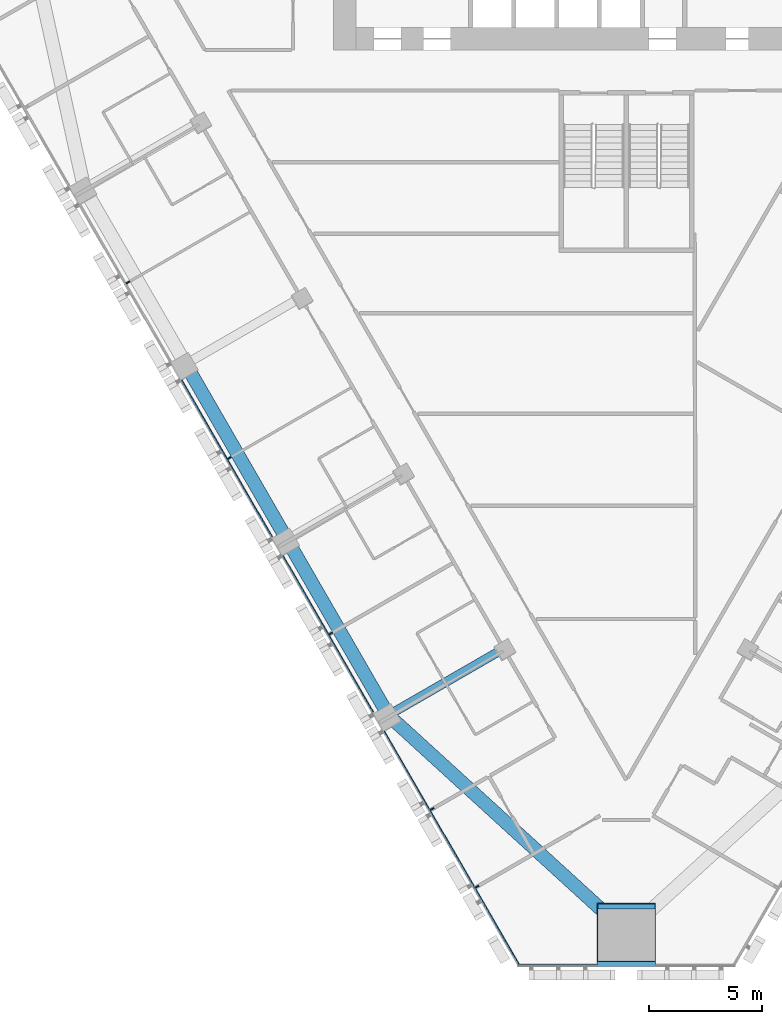
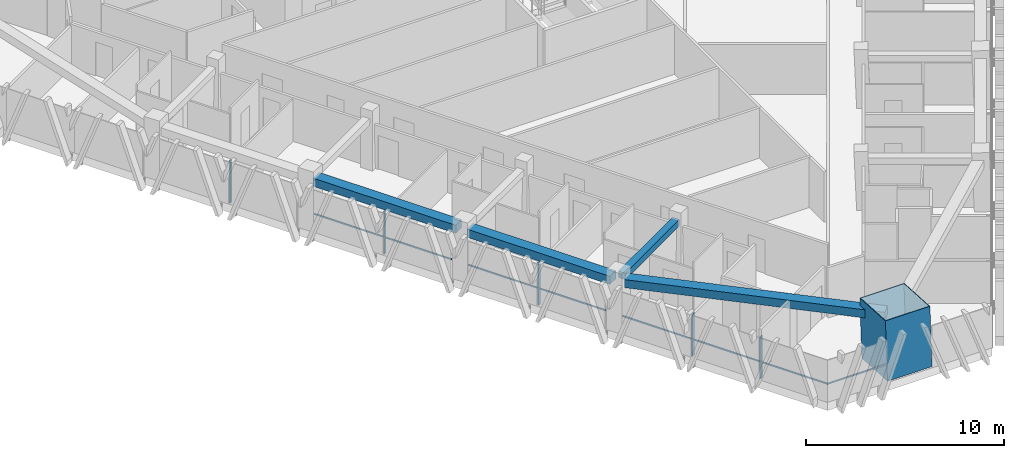
# One storey, part 2 of 18: 10 members, 4 beams, 2 elements without a shape of their own.
"""IFC4 building model written with IfcOpenShell, lengths in metres."""

from ifc_helpers import new_model, si_unit, direction, frame, origin, origin_2d, place, context, subcontext, project, spatial, rectangle, hollow_rectangle, extrude, material, layer, layer_set, material_profile, profile_set, type_object, element, aggregate, save


model = new_model("IFC4")

# Units and contexts
model_context = context("Model", 3, precision=1e-05, world=origin(), true_north=direction((0.0, 1.0)))
body_context = subcontext(model_context, "Body", "Model", "MODEL_VIEW")
ifc_project = project(units=[si_unit("LENGTHUNIT", "METRE"), si_unit("AREAUNIT", "SQUARE_METRE"), si_unit("VOLUMEUNIT", "CUBIC_METRE"), si_unit("PLANEANGLEUNIT", "RADIAN"), si_unit("MASSUNIT", "GRAM", prefix="KILO")], contexts=[model_context])

# Site, building, storey
site_placement = place(None, origin())
site = spatial("IfcSite", under=ifc_project, at=site_placement, CompositionType="ELEMENT")
building_placement = place(site_placement, origin())
building = spatial("IfcBuilding", under=site, at=building_placement, Name="Altiplano Prism Tower", CompositionType="ELEMENT")
storey_placement = place(building_placement, frame((0.0, 0.0, 45.0)))
storey = spatial("IfcBuildingStorey", under=building, at=storey_placement, Name="L10", CompositionType="ELEMENT", Elevation=45.0)

# Curtain wall, members
ifc_material_1 = material(Name="Aluminium and glass", Category="aluminium")
ifc_layer = layer(ifc_material_1, 0.280029296875)
ifc_layer_set = layer_set([ifc_layer], Name="Aluminium and glass")
curtain_wall_type = type_object("IfcCurtainWallType", Name="CW1 typical co-living unitised curtain wall", PredefinedType="NOTDEFINED", material=ifc_layer_set)
curtain_wall_1_placement = place(storey_placement, origin())
curtain_wall_1 = element("IfcCurtainWall", 1, at=curtain_wall_1_placement, inside=storey, type_object=curtain_wall_type, Name="CW1 curtain wall south-west face L10", PredefinedType="NOTDEFINED")
ifc_material_2 = material(Name="Aluminium", Category="aluminium")
ifc_material_profile_1 = material_profile(ifc_material_2, rectangle(XDim=0.179931640625, YDim=0.06494140625, at=origin_2d()), Name="CW1 mullion 65 x 180")
ifc_profile_set_1 = profile_set([ifc_material_profile_1], Name="Aluminium")
member_type_1 = type_object("IfcMemberType", Name="CW1 mullion 65 x 180", PredefinedType="MULLION", material=ifc_profile_set_1)
member_1_placement = place(storey_placement, frame((62.8779296875, 82.08203125, 0.0), z_axis=(0.0, 0.0, 1.0), x_axis=(0.86602540265, 0.500000001965, 0.0)))
member_1 = element("IfcMember", 2, at=member_1_placement, type_object=member_type_1, Name="CW1 mullion", PredefinedType="MULLION", context=body_context, shape_type="SweptSolid", body=[
    extrude(rectangle(XDim=0.179931640625, YDim=0.06494140625, at=origin_2d()), origin(), (0.0, 0.0, 1.0), 2.60009765625),
])
member_2_placement = place(storey_placement, frame((67.3779296875, 74.287841796875, 0.0), z_axis=(0.0, 0.0, 1.0), x_axis=(0.86602540265, 0.500000001965, 0.0)))
member_2 = element("IfcMember", 3, at=member_2_placement, type_object=member_type_1, Name="CW1 mullion", PredefinedType="MULLION", context=body_context, shape_type="SweptSolid", body=[
    extrude(rectangle(XDim=0.179931640625, YDim=0.06494140625, at=origin_2d()), origin(), (0.0, 0.0, 1.0), 2.60009765625),
])
member_3_placement = place(storey_placement, frame((71.8779296875, 66.493408203125, 0.0), z_axis=(0.0, 0.0, 1.0), x_axis=(0.86602540265, 0.500000001965, 0.0)))
member_3 = element("IfcMember", 4, at=member_3_placement, type_object=member_type_1, Name="CW1 mullion", PredefinedType="MULLION", context=body_context, shape_type="SweptSolid", body=[
    extrude(rectangle(XDim=0.179931640625, YDim=0.06494140625, at=origin_2d()), origin(), (0.0, 0.0, 1.0), 2.60009765625),
])
member_4_placement = place(storey_placement, frame((76.3779296875, 58.69921875, 0.0), z_axis=(0.0, 0.0, 1.0), x_axis=(0.86602540265, 0.500000001965, 0.0)))
member_4 = element("IfcMember", 5, at=member_4_placement, type_object=member_type_1, Name="CW1 mullion", PredefinedType="MULLION", context=body_context, shape_type="SweptSolid", body=[
    extrude(rectangle(XDim=0.179931640625, YDim=0.06494140625, at=origin_2d()), origin(), (0.0, 0.0, 1.0), 2.60009765625),
])
member_5_placement = place(storey_placement, frame((78.367431640625, 55.25341796875, 0.0), z_axis=(0.0, 0.0, 1.0), x_axis=(0.86602540265, 0.500000001965, 0.0)))
member_5 = element("IfcMember", 6, at=member_5_placement, type_object=member_type_1, Name="CW1 mullion", PredefinedType="MULLION", context=body_context, shape_type="SweptSolid", body=[
    extrude(rectangle(XDim=0.179931640625, YDim=0.06494140625, at=origin_2d()), origin(), (0.0, 0.0, 1.0), 2.60009765625),
])
ifc_material_profile_2 = material_profile(ifc_material_2, rectangle(XDim=0.06005859375, YDim=0.080078125, at=origin_2d()), Name="CW1 transom 80 x 60")
ifc_profile_set_2 = profile_set([ifc_material_profile_2], Name="Aluminium")
member_type_2 = type_object("IfcMemberType", Name="CW1 transom 80 x 60", PredefinedType="USERDEFINED", material=ifc_profile_set_2)
member_6_placement = place(storey_placement, frame((65.249267578125, 77.734619140625, 1.10009765625), z_axis=(0.499999136801, -0.866025902152, 0.0), x_axis=(0.866025902152, 0.499999136801, 0.0)))
member_6 = element("IfcMember", 7, at=member_6_placement, type_object=member_type_2, Name="CW1 transom", ObjectType="TRANSOM", PredefinedType="USERDEFINED", context=body_context, shape_type="SweptSolid", body=[
    extrude(rectangle(XDim=0.06005859375, YDim=0.080078125, at=origin_2d()), origin(), (0.0, 0.0, 1.0), 8.02001953125),
])
member_7_placement = place(storey_placement, frame((69.749267578125, 69.9404296875, 1.10009765625), z_axis=(0.499999136801, -0.866025902152, 0.0), x_axis=(0.866025902152, 0.499999136801, 0.0)))
member_7 = element("IfcMember", 8, at=member_7_placement, type_object=member_type_2, Name="CW1 transom", ObjectType="TRANSOM", PredefinedType="USERDEFINED", context=body_context, shape_type="SweptSolid", body=[
    extrude(rectangle(XDim=0.06005859375, YDim=0.080078125, at=origin_2d()), origin(), (0.0, 0.0, 1.0), 8.02001953125),
])
member_8_placement = place(storey_placement, frame((74.249267578125, 62.14599609375, 1.10009765625), z_axis=(0.499998779806, -0.866026108263, 0.0), x_axis=(0.866026108263, 0.499998779806, 0.0)))
member_8 = element("IfcMember", 9, at=member_8_placement, type_object=member_type_2, Name="CW1 transom", ObjectType="TRANSOM", PredefinedType="USERDEFINED", context=body_context, shape_type="SweptSolid", body=[
    extrude(rectangle(XDim=0.06005859375, YDim=0.080078125, at=origin_2d()), origin(), (0.0, 0.0, 1.0), 12.00732421875),
])
aggregate(curtain_wall_1, [member_1, member_2, member_6, member_3, member_7, member_4, member_5, member_8])

# Curtain wall, member
curtain_wall_2_placement = place(storey_placement, origin())
curtain_wall_2 = element("IfcCurtainWall", 10, at=curtain_wall_2_placement, inside=storey, type_object=curtain_wall_type, Name="CW1 curtain wall south chamfer L10", PredefinedType="NOTDEFINED")
member_9_placement = place(storey_placement, frame((80.1923828125, 51.782470703125, 1.10009765625), z_axis=(1.0, 0.0, 0.0), x_axis=(0.0, 1.0, 0.0)))
member_9 = element("IfcMember", 11, at=member_9_placement, type_object=member_type_2, Name="CW1 transom", ObjectType="TRANSOM", PredefinedType="USERDEFINED", context=body_context, shape_type="SweptSolid", body=[
    extrude(rectangle(XDim=0.06005859375, YDim=0.080078125, at=origin_2d()), origin(), (0.0, 0.0, 1.0), 3.507568359375),
])
aggregate(curtain_wall_2, [member_9])

# Beams
ifc_material_3 = material(Name="Concrete C60/75", Category="concrete")
ifc_material_profile_3 = material_profile(ifc_material_3, rectangle(XDim=0.60009765625, YDim=0.5, at=origin_2d()), Name="Edge beam 600x500")
ifc_profile_set_3 = profile_set([ifc_material_profile_3], Name="Concrete C60/75")
beam_type_1 = type_object("IfcBeamType", Name="Edge beam 600x500", PredefinedType="SPANDREL", material=ifc_profile_set_3)
for number, where, z_axis, x_axis, name in (
    (12, (65.59814453125, 78.167724609375, 2.85009765625), (0.499992746786, -0.866029591389, 0.0), (0.866029591389, 0.499992746786, 0.0), "Edge beam P12-P13 L11"),
    (13, (70.09814453125, 70.373291015625, 2.85009765625), (0.499992746786, -0.866029591389, 0.0), (0.866029591389, 0.499992746786, 0.0), "Edge beam P13-P14 L11"),
):
    element("IfcBeam", number, at=place(storey_placement, frame(where, z_axis=z_axis, x_axis=x_axis)), inside=storey, type_object=beam_type_1, Name=name, PredefinedType="SPANDREL", context=body_context, shape_type="SweptSolid", body=[
        extrude(rectangle(XDim=0.60009765625, YDim=0.5, at=origin_2d()), origin(), (0.0, 0.0, 1.0), 8.33984375),
    ])
beam_1_placement = place(storey_placement, frame((74.693359375, 62.627685546875, 2.85009765625), z_axis=(0.738678836446, -0.67405754694, 0.0), x_axis=(0.67405754694, 0.738678836446, 0.0)))
element("IfcBeam", 14, at=beam_1_placement, inside=storey, type_object=beam_type_1, Name="Edge beam P14-M1 L11", PredefinedType="SPANDREL", context=body_context, shape_type="SweptSolid", body=[
    extrude(rectangle(XDim=0.60009765625, YDim=0.5, at=origin_2d()), origin(), (0.0, 0.0, 1.0), 13.502685546875),
])

# Member
ifc_material_4 = material(Name="Steel S460", Category="steel")
ifc_material_profile_4 = material_profile(ifc_material_4, hollow_rectangle(XDim=2.60009765625, YDim=2.60009765625, WallThickness=0.0400390625, at=origin_2d()), Name="Mega column tube 2600")
ifc_profile_set_4 = profile_set([ifc_material_profile_4], Name="Steel S460")
member_type_3 = type_object("IfcMemberType", Name="Mega column tube 2600", PredefinedType="POST", material=ifc_profile_set_4)
member_10_placement = place(storey_placement, frame((85.0, 53.012451171875, 0.0), z_axis=(0.0, 0.058356907999, 0.998295783467), x_axis=(-1.0, 0.0, 0.0)))
element("IfcMember", 15, at=member_10_placement, inside=storey, type_object=member_type_3, Name="Mega column tube M1 L10", PredefinedType="POST", context=body_context, shape_type="SweptSolid", body=[
    extrude(hollow_rectangle(XDim=2.60009765625, YDim=2.60009765625, WallThickness=0.0400390625, at=origin_2d()), origin(), (0.0, 0.0, 1.0), 3.606201171875),
])

# Beam
ifc_material_profile_5 = material_profile(ifc_material_3, rectangle(XDim=0.39990234375, YDim=0.39990234375, at=origin_2d()), Name="Tie beam 400x400")
ifc_profile_set_5 = profile_set([ifc_material_profile_5], Name="Concrete C60/75")
beam_type_2 = type_object("IfcBeamType", Name="Tie beam 400x400", PredefinedType="BEAM", material=ifc_profile_set_5)
beam_2_placement = place(storey_placement, frame((79.473388671875, 65.77490234375, 2.89990234375), z_axis=(-0.866031549307, -0.499989355492, 0.0), x_axis=(0.499989355492, -0.866031549307, 0.0)))
element("IfcBeam", 16, at=beam_2_placement, inside=storey, type_object=beam_type_2, Name="Tie beam I14 L11", PredefinedType="BEAM", context=body_context, shape_type="SweptSolid", body=[
    extrude(rectangle(XDim=0.39990234375, YDim=0.39990234375, at=origin_2d()), origin(), (0.0, 0.0, 1.0), 5.48974609375),
])

save(model, "model.ifc")
